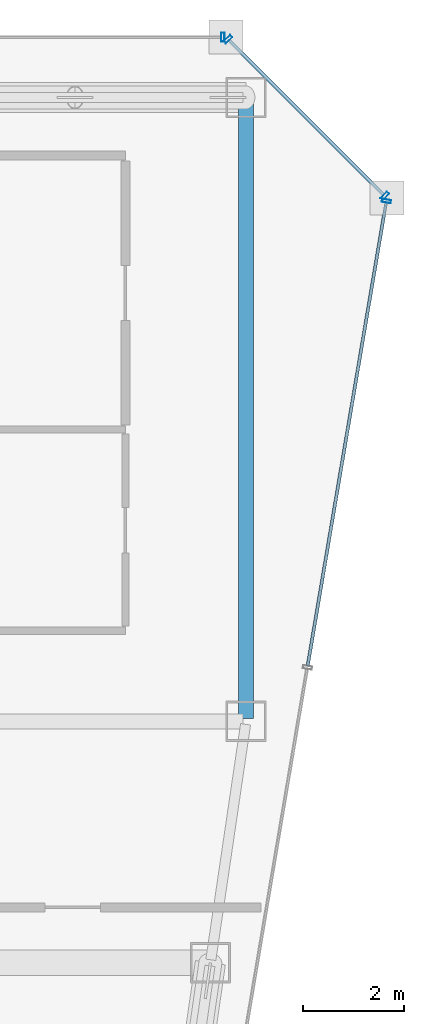
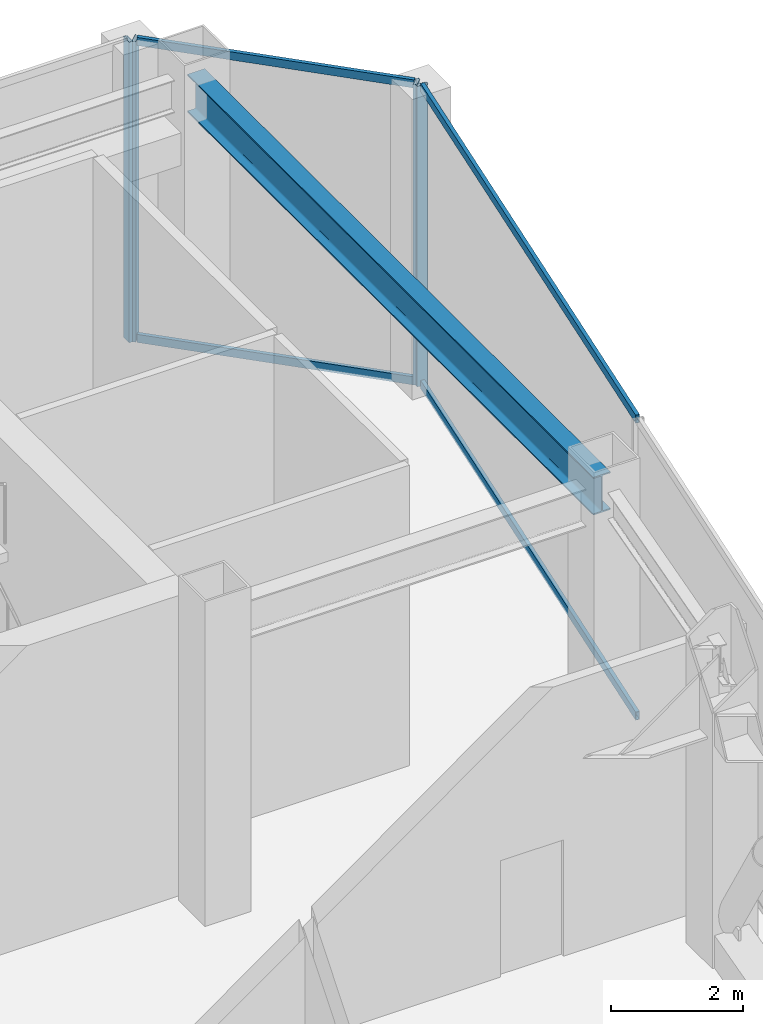
# One storey, part 27 of 34: 8 members, 1 beam, 3 elements without a shape of their own.
"""IFC4 building model written with IfcOpenShell, lengths in metres."""

from ifc_helpers import new_model, si_unit, direction, frame, origin, origin_2d, place, context, subcontext, project, spatial, hollow_rectangle, i_section, extrude, material, material_profile, profile_set, type_object, element, aggregate, save


model = new_model("IFC4")

# Units and contexts
model_context = context("Model", 3, precision=1e-05, world=origin(), true_north=direction((0.0, 1.0)))
body_context = subcontext(model_context, "Body", "Model", "MODEL_VIEW")
ifc_project = project(units=[si_unit("LENGTHUNIT", "METRE"), si_unit("AREAUNIT", "SQUARE_METRE"), si_unit("VOLUMEUNIT", "CUBIC_METRE"), si_unit("PLANEANGLEUNIT", "RADIAN"), si_unit("MASSUNIT", "GRAM", prefix="KILO")], contexts=[model_context])

# Site, building, storey
site_placement = place(None, origin())
site = spatial("IfcSite", under=ifc_project, at=site_placement, CompositionType="ELEMENT")
building_placement = place(site_placement, origin())
building = spatial("IfcBuilding", under=site, at=building_placement, Name="Saevonmaru Cultural Tower", CompositionType="ELEMENT")
storey_placement = place(building_placement, frame((0.0, 0.0, 224.60009765625)))
storey = spatial("IfcBuildingStorey", under=building, at=storey_placement, Name="L52", CompositionType="ELEMENT", Elevation=224.60009765625)

# Beam
ifc_material_1 = material(Name="Steel SM355", Category="steel")
ifc_material_profile_1 = material_profile(ifc_material_1, i_section(OverallWidth=0.300048828125, OverallDepth=0.699951171875, WebThickness=0.012939453125, FlangeThickness=0.02392578125, FilletRadius=0.02587890625, at=origin_2d()), Name="H-700x300x13x24")
ifc_profile_set_1 = profile_set([ifc_material_profile_1], Name="Steel SM355")
beam_type = type_object("IfcBeamType", Name="BM-G-H700", PredefinedType="BEAM", material=ifc_profile_set_1)
beam_placement = place(storey_placement, frame((53.199951171875, 54.739990234375, 5.199951171875), z_axis=(0.0, -1.0, 0.0), x_axis=(1.0, 0.0, 0.0)))
element("IfcBeam", 1, at=beam_placement, inside=storey, type_object=beam_type, Name="L52 Spine Transverse Girder E", PredefinedType="BEAM", context=body_context, shape_type="SweptSolid", body=[
    extrude(i_section(OverallWidth=0.300048828125, OverallDepth=0.699951171875, WebThickness=0.012939453125, FlangeThickness=0.02392578125, FilletRadius=0.02587890625, at=origin_2d()), origin(), (0.0, 0.0, 1.0), 12.280029296875),
])

# Curtain wall, member
ifc_material_2 = material(Name="Satin Bronze Anodised Aluminium", Category="aluminium")
curtain_wall_type = type_object("IfcCurtainWallType", Name="CW-TYP-B", PredefinedType="NOTDEFINED", material=ifc_material_2)
curtain_wall_1_placement = place(storey_placement, origin())
curtain_wall_1 = element("IfcCurtainWall", 2, at=curtain_wall_1_placement, inside=storey, type_object=curtain_wall_type, Name="L52 Wind-Floor Acoustic Louvre Screen E8", PredefinedType="NOTDEFINED")
ifc_material_profile_2 = material_profile(ifc_material_2, hollow_rectangle(XDim=0.06494140625, YDim=0.179931640625, WallThickness=0.00390625, at=origin_2d()), Name="ALU-MULL-180x65x4")
ifc_profile_set_2 = profile_set([ifc_material_profile_2], Name="Satin Bronze Anodised Aluminium")
member_type_1 = type_object("IfcMemberType", Name="ML-CW-180x65", PredefinedType="MULLION", material=ifc_profile_set_2)
member_1_placement = place(storey_placement, frame((55.989990234375, 52.74072265625, 0.0), z_axis=(0.0, 0.0, 1.0), x_axis=(0.16692169721, 0.985970155228, 0.0)))
member_1 = element("IfcMember", 3, at=member_1_placement, type_object=member_type_1, Name="CW-TW-L52-E8 mullion 5", PredefinedType="MULLION", context=body_context, shape_type="SweptSolid", body=[
    extrude(hollow_rectangle(XDim=0.06494140625, YDim=0.179931640625, WallThickness=0.00390625, at=origin_2d()), origin(), (0.0, 0.0, 1.0), 5.5498046875),
])

# Curtain wall, members
curtain_wall_2_placement = place(storey_placement, origin())
curtain_wall_2 = element("IfcCurtainWall", 4, at=curtain_wall_2_placement, inside=storey, type_object=curtain_wall_type, Name="L52 Wind-Floor Acoustic Louvre Screen E9", PredefinedType="NOTDEFINED")
member_2_placement = place(storey_placement, frame((55.95751953125, 52.84228515625, 0.0), z_axis=(0.0, 0.0, 1.0), x_axis=(-0.707106781187, 0.707106781187, 0.0)))
member_2 = element("IfcMember", 5, at=member_2_placement, type_object=member_type_1, Name="CW-TW-L52-E9 mullion 1", PredefinedType="MULLION", context=body_context, shape_type="SweptSolid", body=[
    extrude(hollow_rectangle(XDim=0.06494140625, YDim=0.179931640625, WallThickness=0.00390625, at=origin_2d()), origin(), (0.0, 0.0, 1.0), 5.5498046875),
])
member_3_placement = place(storey_placement, frame((52.84228515625, 55.95751953125, 0.0), z_axis=(0.0, 0.0, 1.0), x_axis=(-0.707106781187, 0.707106781187, 0.0)))
member_3 = element("IfcMember", 6, at=member_3_placement, type_object=member_type_1, Name="CW-TW-L52-E9 mullion 2", PredefinedType="MULLION", context=body_context, shape_type="SweptSolid", body=[
    extrude(hollow_rectangle(XDim=0.06494140625, YDim=0.179931640625, WallThickness=0.00390625, at=origin_2d()), origin(), (0.0, 0.0, 1.0), 5.5498046875),
])

# Curtain wall, member
curtain_wall_3_placement = place(storey_placement, origin())
curtain_wall_3 = element("IfcCurtainWall", 7, at=curtain_wall_3_placement, inside=storey, type_object=curtain_wall_type, Name="L52 Wind-Floor Acoustic Louvre Screen E10", PredefinedType="NOTDEFINED")
member_4_placement = place(storey_placement, frame((52.739990234375, 56.0, 0.0), z_axis=(0.0, 0.0, 1.0), x_axis=(-1.0, 0.0, 0.0)))
member_4 = element("IfcMember", 8, at=member_4_placement, type_object=member_type_1, Name="CW-TW-L52-E10 mullion 1", PredefinedType="MULLION", context=body_context, shape_type="SweptSolid", body=[
    extrude(hollow_rectangle(XDim=0.06494140625, YDim=0.179931640625, WallThickness=0.00390625, at=origin_2d()), origin(), (0.0, 0.0, 1.0), 5.5498046875),
])
aggregate(curtain_wall_3, [member_4])

# Member
ifc_material_profile_3 = material_profile(ifc_material_2, hollow_rectangle(XDim=0.06494140625, YDim=0.14990234375, WallThickness=0.00390625, at=origin_2d()), Name="ALU-TRAN-150x65x4")
ifc_profile_set_3 = profile_set([ifc_material_profile_3], Name="Satin Bronze Anodised Aluminium")
member_type_2 = type_object("IfcMemberType", Name="TR-CW-150x65", PredefinedType="USERDEFINED", material=ifc_profile_set_3)
member_5_placement = place(storey_placement, frame((54.426025390625, 43.50244140625, 0.032470703125), z_axis=(0.166921263871, 0.985970228591, 0.0), x_axis=(-0.985970228591, 0.166921263871, 0.0)))
member_5 = element("IfcMember", 9, at=member_5_placement, type_object=member_type_2, Name="CW-TW-L52-E8 transom 4.1", ObjectType="TRANSOM", PredefinedType="USERDEFINED", context=body_context, shape_type="SweptSolid", body=[
    extrude(hollow_rectangle(XDim=0.06494140625, YDim=0.14990234375, WallThickness=0.00390625, at=origin_2d()), origin(), (0.0, 0.0, 1.0), 9.33740234375),
])

member_6_placement = place(storey_placement, frame((54.426025390625, 43.50244140625, 5.517333984375), z_axis=(0.166921263871, 0.985970228591, 0.0), x_axis=(-0.985970228591, 0.166921263871, 0.0)))
member_6 = element("IfcMember", 10, at=member_6_placement, type_object=member_type_2, Name="CW-TW-L52-E8 transom 4.2", ObjectType="TRANSOM", PredefinedType="USERDEFINED", context=body_context, shape_type="SweptSolid", body=[
    extrude(hollow_rectangle(XDim=0.06494140625, YDim=0.14990234375, WallThickness=0.00390625, at=origin_2d()), origin(), (0.0, 0.0, 1.0), 9.33740234375),
])

aggregate(curtain_wall_1, [member_1, member_5, member_6])

member_7_placement = place(storey_placement, frame((55.9345703125, 52.865478515625, 0.032470703125), z_axis=(-0.707106781187, 0.707106781187, 0.0), x_axis=(-0.707106781187, -0.707106781187, 0.0)))
member_7 = element("IfcMember", 11, at=member_7_placement, type_object=member_type_2, Name="CW-TW-L52-E9 transom 1.1", ObjectType="TRANSOM", PredefinedType="USERDEFINED", context=body_context, shape_type="SweptSolid", body=[
    extrude(hollow_rectangle(XDim=0.06494140625, YDim=0.14990234375, WallThickness=0.00390625, at=origin_2d()), origin(), (0.0, 0.0, 1.0), 4.34033203125),
])

member_8_placement = place(storey_placement, frame((55.9345703125, 52.865478515625, 5.517333984375), z_axis=(-0.707106781187, 0.707106781187, 0.0), x_axis=(-0.707106781187, -0.707106781187, 0.0)))
member_8 = element("IfcMember", 12, at=member_8_placement, type_object=member_type_2, Name="CW-TW-L52-E9 transom 1.2", ObjectType="TRANSOM", PredefinedType="USERDEFINED", context=body_context, shape_type="SweptSolid", body=[
    extrude(hollow_rectangle(XDim=0.06494140625, YDim=0.14990234375, WallThickness=0.00390625, at=origin_2d()), origin(), (0.0, 0.0, 1.0), 4.34033203125),
])

aggregate(curtain_wall_2, [member_2, member_3, member_7, member_8])

save(model, "model.ifc")
